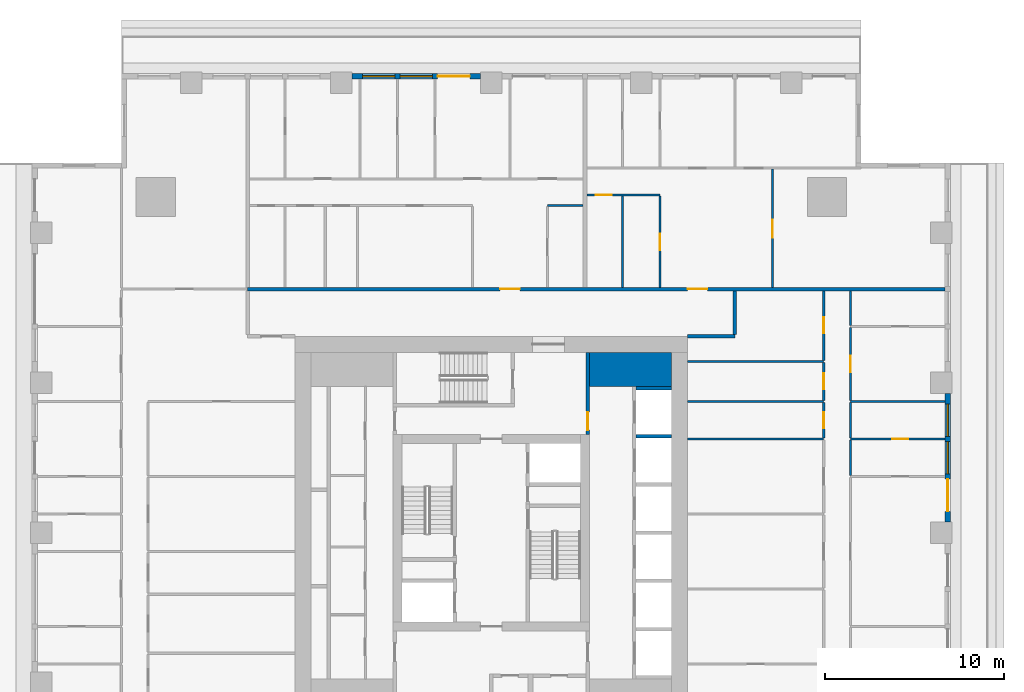
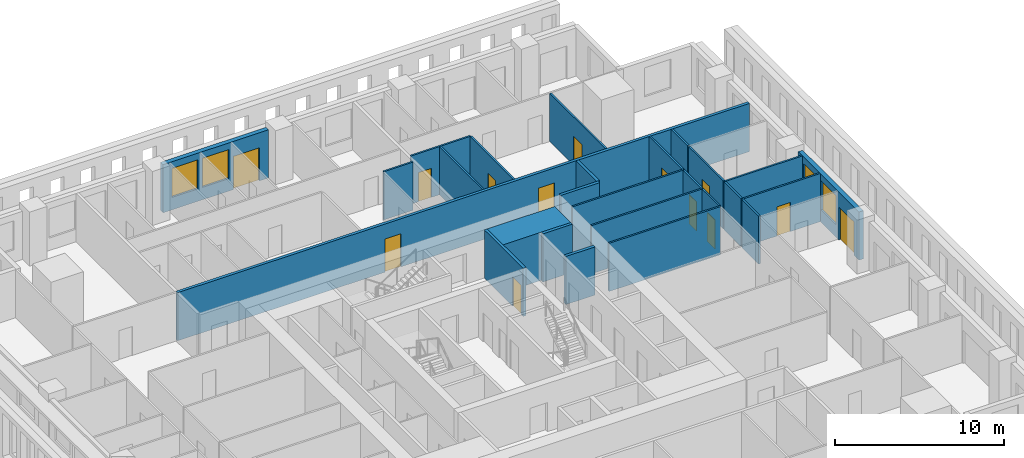
# One storey, part 8 of 15: 26 walls, 13 doors, 4 windows, 17 openings.
"""IFC4 building model written with IfcOpenShell, lengths in metres."""

from ifc_helpers import new_model, si_unit, direction, frame, frame_2d, origin, place, context, subcontext, project, spatial, rectangle, extrude, material, layer, layer_set, type_object, element, fill, save


model = new_model("IFC4")

# Units and contexts
model_context = context("Model", 3, precision=1e-05, world=origin(), true_north=direction((0.0, 1.0)))
body_context = subcontext(model_context, "Body", "Model", "MODEL_VIEW")
ifc_project = project(units=[si_unit("LENGTHUNIT", "METRE"), si_unit("AREAUNIT", "SQUARE_METRE"), si_unit("VOLUMEUNIT", "CUBIC_METRE"), si_unit("PLANEANGLEUNIT", "RADIAN"), si_unit("MASSUNIT", "GRAM", prefix="KILO")], contexts=[model_context])

# Site, building, storey
site_placement = place(None, origin())
site = spatial("IfcSite", under=ifc_project, at=site_placement, CompositionType="ELEMENT")
building_placement = place(site_placement, origin())
building = spatial("IfcBuilding", under=site, at=building_placement, Name="Khepri Terraces", CompositionType="ELEMENT")
storey_placement = place(building_placement, frame((0.0, 0.0, 256.199951171875)))
storey = spatial("IfcBuildingStorey", under=building, at=storey_placement, Name="L61", CompositionType="ELEMENT", Elevation=256.199951171875)

# Walls
ifc_material_1 = material(Name="Concrete C40/50", Category="concrete")
ifc_layer_1 = layer(ifc_material_1, 1.89990234375, Name="Concrete C40/50", Category="concrete")
ifc_layer_set_1 = layer_set([ifc_layer_1], Name="Concrete C40/50")
wall_type_1 = type_object("IfcWallType", Name="Core wall 1900 C40/50", PredefinedType="SHEAR", material=ifc_layer_set_1)
wall_1_placement = place(storey_placement, frame((5.5, 9.14990234375, 0.0), z_axis=(0.0, 0.0, 1.0), x_axis=(1.0, 0.0, 0.0)))
element("IfcWall", 1, at=wall_1_placement, inside=storey, type_object=wall_type_1, Name="Core wall PR04 L61", PredefinedType="SHEAR", context=body_context, shape_type="SweptSolid", body=[
    extrude(rectangle(XDim=4.60009765625, YDim=1.89990234375, at=frame_2d((2.300048828125, 0.0))), origin(), (0.0, 0.0, 1.0), 3.47998046875),
])
ifc_layer_2 = layer(ifc_material_1, 0.199951171875, Name="Concrete C40/50", Category="concrete")
ifc_layer_set_2 = layer_set([ifc_layer_2], Name="Concrete C40/50")
wall_type_2 = type_object("IfcWallType", Name="Core wall 200 C40/50", PredefinedType="SHEAR", material=ifc_layer_set_2)
for number, where, z_axis, x_axis, name in (
    (2, (8.10009765625, 5.39990234375, 0.0), (0.0, 0.0, 1.0), (1.0, 0.0, 0.0), "Core wall SH14 L61"),
    (3, (8.10009765625, 8.10009765625, 0.0), (0.0, 0.0, 1.0), (1.0, 0.0, 0.0), "Core wall SH15 L61"),
):
    element("IfcWall", number, at=place(storey_placement, frame(where, z_axis=z_axis, x_axis=x_axis)), inside=storey, type_object=wall_type_2, Name=name, PredefinedType="SHEAR", context=body_context, shape_type="SweptSolid", body=[
        extrude(rectangle(XDim=2.0, YDim=0.199951171875, at=frame_2d((1.0, 0.0))), origin(), (0.0, 0.0, 1.0), 3.47998046875),
    ])

# Wall, opening, door
ifc_material_2 = material(Name="Fire-rated gypsum board partition")
ifc_layer_3 = layer(ifc_material_2, 0.199951171875, Name="Fire-rated gypsum board partition")
ifc_layer_set_3 = layer_set([ifc_layer_3], Name="Fire-rated gypsum board partition")
wall_type_3 = type_object("IfcWallType", Name="WL-CORE-PART-200", PredefinedType="PARTITIONING", material=ifc_layer_set_3)
wall_2_placement = place(storey_placement, frame((5.39990234375, 5.5, 0.0), z_axis=(0.0, 0.0, 1.0), x_axis=(0.0, 1.0, 0.0)))
wall_2 = element("IfcWall", 4, at=wall_2_placement, inside=storey, type_object=wall_type_3, Name="Core partition PT12 L61", PredefinedType="PARTITIONING", context=body_context, shape_type="SweptSolid", body=[
    extrude(rectangle(XDim=4.60009765625, YDim=0.199951171875, at=frame_2d((2.300048828125, 0.0))), origin(), (0.0, 0.0, 1.0), 3.47998046875),
])
opening_1_placement = place(wall_2_placement, frame((0.25, 0.0, 0.0)))
opening_1 = element("IfcOpeningElement", 5, at=opening_1_placement, cuts=wall_2, Name="Opening L61-C17", PredefinedType="OPENING", context=body_context, shape_type="SweptSolid", body=[
    extrude(rectangle(XDim=1.0, YDim=2.10009765625, at=frame_2d((0.5, 1.050048828125))), frame((0.0, 0.10986328125, 0.0), z_axis=(0.0, -1.0, 0.0), x_axis=(1.0, 0.0, 0.0)), (0.0, 0.0, 1.0), 0.219970703125),
])
ifc_material_3 = material(Name="Painted steel", Category="steel")
door_type_1 = type_object("IfcDoorType", Name="DR-CORE-LOBBY-1000", OperationType="NOTDEFINED", PredefinedType="DOOR", material=ifc_material_3)
door_1_placement = place(opening_1_placement, origin())
door_1 = element("IfcDoor", 6, at=door_1_placement, inside=storey, type_object=door_type_1, Name="Lobby door L61-C17", OperationType="SINGLE_SWING_LEFT", OverallHeight=2.10009765625, OverallWidth=1.0, PredefinedType="DOOR", context=body_context, shape_type="SweptSolid", body=[
    extrude(rectangle(XDim=1.0, YDim=2.10009765625, at=frame_2d((0.5, 1.050048828125))), frame((0.0, 0.02490234375, 0.0), z_axis=(0.0, -1.0, 0.0), x_axis=(1.0, 0.0, 0.0)), (0.0, 0.0, 1.0), 0.050048828125),
])
fill(opening_1, door_1)

# Walls
ifc_material_4 = material(Name="Fire-rated gypsum plasterboard partition, mineral wool")
ifc_layer_4 = layer(ifc_material_4, 0.199951171875, Name="Fire-rated gypsum plasterboard partition, mineral wool")
ifc_layer_set_4 = layer_set([ifc_layer_4], Name="Fire-rated gypsum plasterboard partition, mineral wool")
wall_type_4 = type_object("IfcWallType", Name="WL-CORR-200", PredefinedType="PARTITIONING", material=ifc_layer_set_4)
wall_3_placement = place(storey_placement, frame((11.0, 11.0, 0.0), z_axis=(0.0, 0.0, 1.0), x_axis=(1.0, 0.0, 0.0)))
element("IfcWall", 7, at=wall_3_placement, inside=storey, type_object=wall_type_4, Name="Partition P-072 L61", PredefinedType="PARTITIONING", context=body_context, shape_type="SweptSolid", body=[
    extrude(rectangle(XDim=2.64990234375, YDim=0.199951171875, at=frame_2d((1.324951171875, 0.0))), origin(), (0.0, 0.0, 1.0), 3.47998046875),
])
wall_4_placement = place(storey_placement, frame((13.64990234375, 11.10009765625, 0.0), z_axis=(0.0, 0.0, 1.0), x_axis=(0.0, 1.0, 0.0)))
element("IfcWall", 8, at=wall_4_placement, inside=storey, type_object=wall_type_4, Name="Partition P-074 L61", PredefinedType="PARTITIONING", context=body_context, shape_type="SweptSolid", body=[
    extrude(rectangle(XDim=2.449951171875, YDim=0.199951171875, at=frame_2d((1.22509765625, 0.0))), origin(), (0.0, 0.0, 1.0), 3.47998046875),
])

# Wall, openings, doors
wall_5_placement = place(storey_placement, frame((-13.64990234375, 13.64990234375, 0.0), z_axis=(0.0, 0.0, 1.0), x_axis=(1.0, 0.0, 0.0)))
wall_5 = element("IfcWall", 9, at=wall_5_placement, inside=storey, type_object=wall_type_4, Name="Partition P-080 L61", PredefinedType="PARTITIONING", context=body_context, shape_type="SweptSolid", body=[
    extrude(rectangle(XDim=39.06982421875, YDim=0.199951171875, at=frame_2d((19.534912109375, 0.0))), origin(), (0.0, 0.0, 1.0), 3.47998046875),
])
opening_2_placement = place(wall_5_placement, frame((24.64990234375, 0.0, 0.0)))
opening_2 = element("IfcOpeningElement", 10, at=opening_2_placement, cuts=wall_5, Name="Opening D1", PredefinedType="OPENING", context=body_context, shape_type="SweptSolid", body=[
    extrude(rectangle(XDim=1.10009765625, YDim=2.39990234375, at=frame_2d((0.550048828125, 1.199951171875))), frame((0.0, 0.10986328125, 0.0), z_axis=(0.0, -1.0, 0.0), x_axis=(1.0, 0.0, 0.0)), (0.0, 0.0, 1.0), 0.219970703125),
])
opening_3_placement = place(wall_5_placement, frame((14.14990234375, 0.0, 0.0)))
opening_3 = element("IfcOpeningElement", 11, at=opening_3_placement, cuts=wall_5, Name="Opening D1", PredefinedType="OPENING", context=body_context, shape_type="SweptSolid", body=[
    extrude(rectangle(XDim=1.10009765625, YDim=2.39990234375, at=frame_2d((0.550048828125, 1.199951171875))), frame((0.0, 0.10986328125, 0.0), z_axis=(0.0, -1.0, 0.0), x_axis=(1.0, 0.0, 0.0)), (0.0, 0.0, 1.0), 0.219970703125),
])
ifc_material_5 = material(Name="Solid-core timber door leaf, flat entrance door", Category="wood")
door_type_2 = type_object("IfcDoorType", Name="DR-ENT-1100", OperationType="NOTDEFINED", PredefinedType="DOOR", material=ifc_material_5)
door_2_placement = place(opening_2_placement, origin())
door_2 = element("IfcDoor", 12, at=door_2_placement, inside=storey, type_object=door_type_2, Name="Flat C1 entrance door", OperationType="SINGLE_SWING_RIGHT", OverallHeight=2.39990234375, OverallWidth=1.10009765625, PredefinedType="DOOR", context=body_context, shape_type="SweptSolid", body=[
    extrude(rectangle(XDim=1.10009765625, YDim=2.39990234375, at=frame_2d((0.550048828125, 1.199951171875))), frame((0.0, 0.02490234375, 0.0), z_axis=(0.0, -1.0, 0.0), x_axis=(1.0, 0.0, 0.0)), (0.0, 0.0, 1.0), 0.050048828125),
])
fill(opening_2, door_2)
door_3_placement = place(opening_3_placement, origin())
door_3 = element("IfcDoor", 13, at=door_3_placement, inside=storey, type_object=door_type_2, Name="Flat C2 entrance door", OperationType="SINGLE_SWING_LEFT", OverallHeight=2.39990234375, OverallWidth=1.10009765625, PredefinedType="DOOR", context=body_context, shape_type="SweptSolid", body=[
    extrude(rectangle(XDim=1.10009765625, YDim=2.39990234375, at=frame_2d((0.550048828125, 1.199951171875))), frame((0.0, 0.02490234375, 0.0), z_axis=(0.0, -1.0, 0.0), x_axis=(1.0, 0.0, 0.0)), (0.0, 0.0, 1.0), 0.050048828125),
])
fill(opening_3, door_3)

# Wall, openings, door, windows
ifc_material_6 = material(Name="Precast concrete C50/60 warm stone", Category="masonry")
ifc_layer_5 = layer(ifc_material_6, 0.300048828125, Name="Precast concrete C50/60 warm stone", Category="masonry")
ifc_layer_set_5 = layer_set([ifc_layer_5], Name="Precast concrete C50/60 warm stone")
wall_type_5 = type_object("IfcWallType", Name="WL-EXT-PRECAST-300", PredefinedType="STANDARD", material=ifc_layer_set_5)
wall_6_placement = place(storey_placement, frame((25.570068359375, 0.60009765625, 0.0), z_axis=(0.0, 0.0, 1.0), x_axis=(0.0, 1.0, 0.0)))
wall_6 = element("IfcWall", 14, at=wall_6_placement, inside=storey, type_object=wall_type_5, Name="External wall L61 E", PredefinedType="STANDARD", context=body_context, shape_type="SweptSolid", body=[
    extrude(rectangle(XDim=7.199951171875, YDim=0.300048828125, at=frame_2d((3.60009765625, 0.0))), origin(), (0.0, 0.0, 1.0), 3.47998046875),
])
opening_4_placement = place(wall_6_placement, frame((0.60009765625, 0.0, 0.0)))
opening_4 = element("IfcOpeningElement", 15, at=opening_4_placement, cuts=wall_6, Name="Opening ED-L61-06", PredefinedType="OPENING", context=body_context, shape_type="SweptSolid", body=[
    extrude(rectangle(XDim=1.800048828125, YDim=2.39990234375, at=frame_2d((0.89990234375, 1.199951171875))), frame((0.0, 0.16015625, 0.0), z_axis=(0.0, -1.0, 0.0), x_axis=(1.0, 0.0, 0.0)), (0.0, 0.0, 1.0), 0.320068359375),
])
opening_5_placement = place(wall_6_placement, frame((2.699951171875, 0.0, 0.89990234375)))
opening_5 = element("IfcOpeningElement", 16, at=opening_5_placement, cuts=wall_6, Name="Opening W1", PredefinedType="OPENING", context=body_context, shape_type="SweptSolid", body=[
    extrude(rectangle(XDim=1.800048828125, YDim=2.10009765625, at=frame_2d((0.89990234375, 1.050048828125))), frame((0.0, 0.16015625, 0.0), z_axis=(0.0, -1.0, 0.0), x_axis=(1.0, 0.0, 0.0)), (0.0, 0.0, 1.0), 0.320068359375),
])
opening_6_placement = place(wall_6_placement, frame((4.800048828125, 0.0, 0.89990234375)))
opening_6 = element("IfcOpeningElement", 17, at=opening_6_placement, cuts=wall_6, Name="Opening W1", PredefinedType="OPENING", context=body_context, shape_type="SweptSolid", body=[
    extrude(rectangle(XDim=1.800048828125, YDim=2.10009765625, at=frame_2d((0.89990234375, 1.050048828125))), frame((0.0, 0.16015625, 0.0), z_axis=(0.0, -1.0, 0.0), x_axis=(1.0, 0.0, 0.0)), (0.0, 0.0, 1.0), 0.320068359375),
])
ifc_material_7 = material(Name="Anodised aluminium bronze glazed door", Category="aluminium")
door_type_3 = type_object("IfcDoorType", Name="DR-BAL-SLIDE-1800x2400", OperationType="NOTDEFINED", PredefinedType="DOOR", material=ifc_material_7)
door_4_placement = place(opening_4_placement, origin())
door_4 = element("IfcDoor", 18, at=door_4_placement, inside=storey, type_object=door_type_3, Name="Balcony door L61 E", OperationType="SLIDING_TO_LEFT", OverallHeight=2.39990234375, OverallWidth=1.800048828125, PredefinedType="DOOR", context=body_context, shape_type="SweptSolid", body=[
    extrude(rectangle(XDim=1.800048828125, YDim=2.39990234375, at=frame_2d((0.89990234375, 1.199951171875))), frame((0.0, 0.02490234375, 0.0), z_axis=(0.0, -1.0, 0.0), x_axis=(1.0, 0.0, 0.0)), (0.0, 0.0, 1.0), 0.050048828125),
])
fill(opening_4, door_4)
ifc_material_8 = material(Name="Clear glass", Category="glass")
window_type = type_object("IfcWindowType", Name="WIN-RES-1800x2100", PartitioningType="SINGLE_PANEL", PredefinedType="WINDOW", material=ifc_material_8)
window_1_placement = place(opening_5_placement, origin())
window_1 = element("IfcWindow", 19, at=window_1_placement, inside=storey, type_object=window_type, Name="Window L61 E", OverallHeight=2.10009765625, OverallWidth=1.800048828125, PartitioningType="SINGLE_PANEL", PredefinedType="WINDOW", context=body_context, shape_type="SweptSolid", body=[
    extrude(rectangle(XDim=1.800048828125, YDim=2.10009765625, at=frame_2d((0.89990234375, 1.050048828125))), frame((0.0, 0.030029296875, 0.0), z_axis=(0.0, -1.0, 0.0), x_axis=(1.0, 0.0, 0.0)), (0.0, 0.0, 1.0), 0.06005859375),
])
fill(opening_5, window_1)
window_2_placement = place(opening_6_placement, origin())
window_2 = element("IfcWindow", 20, at=window_2_placement, inside=storey, type_object=window_type, Name="Window L61 E", OverallHeight=2.10009765625, OverallWidth=1.800048828125, PartitioningType="SINGLE_PANEL", PredefinedType="WINDOW", context=body_context, shape_type="SweptSolid", body=[
    extrude(rectangle(XDim=1.800048828125, YDim=2.10009765625, at=frame_2d((0.89990234375, 1.050048828125))), frame((0.0, 0.030029296875, 0.0), z_axis=(0.0, -1.0, 0.0), x_axis=(1.0, 0.0, 0.0)), (0.0, 0.0, 1.0), 0.06005859375),
])
fill(opening_6, window_2)

wall_7_placement = place(storey_placement, frame((-0.60009765625, 25.570068359375, 0.0), z_axis=(0.0, 0.0, 1.0), x_axis=(-1.0, 0.0, 0.0)))
wall_7 = element("IfcWall", 21, at=wall_7_placement, inside=storey, type_object=wall_type_5, Name="External wall L61 N", PredefinedType="STANDARD", context=body_context, shape_type="SweptSolid", body=[
    extrude(rectangle(XDim=7.199951171875, YDim=0.300048828125, at=frame_2d((3.60009765625, 0.0))), origin(), (0.0, 0.0, 1.0), 3.47998046875),
])
opening_7_placement = place(wall_7_placement, frame((0.60009765625, 0.0, 0.0)))
opening_7 = element("IfcOpeningElement", 22, at=opening_7_placement, cuts=wall_7, Name="Opening ED-L61-11", PredefinedType="OPENING", context=body_context, shape_type="SweptSolid", body=[
    extrude(rectangle(XDim=1.800048828125, YDim=2.39990234375, at=frame_2d((0.89990234375, 1.199951171875))), frame((0.0, 0.16015625, 0.0), z_axis=(0.0, -1.0, 0.0), x_axis=(1.0, 0.0, 0.0)), (0.0, 0.0, 1.0), 0.320068359375),
])
opening_8_placement = place(wall_7_placement, frame((2.699951171875, 0.0, 0.89990234375)))
opening_8 = element("IfcOpeningElement", 23, at=opening_8_placement, cuts=wall_7, Name="Opening W1", PredefinedType="OPENING", context=body_context, shape_type="SweptSolid", body=[
    extrude(rectangle(XDim=1.800048828125, YDim=2.10009765625, at=frame_2d((0.89990234375, 1.050048828125))), frame((0.0, 0.16015625, 0.0), z_axis=(0.0, -1.0, 0.0), x_axis=(1.0, 0.0, 0.0)), (0.0, 0.0, 1.0), 0.320068359375),
])
opening_9_placement = place(wall_7_placement, frame((4.800048828125, 0.0, 0.89990234375)))
opening_9 = element("IfcOpeningElement", 24, at=opening_9_placement, cuts=wall_7, Name="Opening W1", PredefinedType="OPENING", context=body_context, shape_type="SweptSolid", body=[
    extrude(rectangle(XDim=1.800048828125, YDim=2.10009765625, at=frame_2d((0.89990234375, 1.050048828125))), frame((0.0, 0.16015625, 0.0), z_axis=(0.0, -1.0, 0.0), x_axis=(1.0, 0.0, 0.0)), (0.0, 0.0, 1.0), 0.320068359375),
])
door_5_placement = place(opening_7_placement, origin())
door_5 = element("IfcDoor", 25, at=door_5_placement, inside=storey, type_object=door_type_3, Name="Balcony door L61 N", OperationType="SLIDING_TO_LEFT", OverallHeight=2.39990234375, OverallWidth=1.800048828125, PredefinedType="DOOR", context=body_context, shape_type="SweptSolid", body=[
    extrude(rectangle(XDim=1.800048828125, YDim=2.39990234375, at=frame_2d((0.89990234375, 1.199951171875))), frame((0.0, 0.02490234375, 0.0), z_axis=(0.0, -1.0, 0.0), x_axis=(1.0, 0.0, 0.0)), (0.0, 0.0, 1.0), 0.050048828125),
])
fill(opening_7, door_5)
window_3_placement = place(opening_8_placement, origin())
window_3 = element("IfcWindow", 26, at=window_3_placement, inside=storey, type_object=window_type, Name="Window L61 N", OverallHeight=2.10009765625, OverallWidth=1.800048828125, PartitioningType="SINGLE_PANEL", PredefinedType="WINDOW", context=body_context, shape_type="SweptSolid", body=[
    extrude(rectangle(XDim=1.800048828125, YDim=2.10009765625, at=frame_2d((0.89990234375, 1.050048828125))), frame((0.0, 0.030029296875, 0.0), z_axis=(0.0, -1.0, 0.0), x_axis=(1.0, 0.0, 0.0)), (0.0, 0.0, 1.0), 0.06005859375),
])
fill(opening_8, window_3)
window_4_placement = place(opening_9_placement, origin())
window_4 = element("IfcWindow", 27, at=window_4_placement, inside=storey, type_object=window_type, Name="Window L61 N", OverallHeight=2.10009765625, OverallWidth=1.800048828125, PartitioningType="SINGLE_PANEL", PredefinedType="WINDOW", context=body_context, shape_type="SweptSolid", body=[
    extrude(rectangle(XDim=1.800048828125, YDim=2.10009765625, at=frame_2d((0.89990234375, 1.050048828125))), frame((0.0, 0.030029296875, 0.0), z_axis=(0.0, -1.0, 0.0), x_axis=(1.0, 0.0, 0.0)), (0.0, 0.0, 1.0), 0.06005859375),
])
fill(opening_9, window_4)

# Walls
ifc_material_9 = material(Name="Gypsum plasterboard partition")
ifc_layer_6 = layer(ifc_material_9, 0.1201171875, Name="Gypsum plasterboard partition")
ifc_layer_set_6 = layer_set([ifc_layer_6], Name="Gypsum plasterboard partition")
wall_type_6 = type_object("IfcWallType", Name="WL-PART-120", PredefinedType="PARTITIONING", material=ifc_layer_set_6)
wall_8_placement = place(storey_placement, frame((20.1201171875, 3.2099609375, 0.0), z_axis=(0.0, 0.0, 1.0), x_axis=(0.0, 1.0, 0.0)))
element("IfcWall", 28, at=wall_8_placement, inside=storey, type_object=wall_type_6, Name="Partition P-057 L61", PredefinedType="PARTITIONING", context=body_context, shape_type="SweptSolid", body=[
    extrude(rectangle(XDim=1.97998046875, YDim=0.1201171875, at=frame_2d((0.989990234375, 0.0))), origin(), (0.0, 0.0, 1.0), 3.47998046875),
])
wall_9_placement = place(storey_placement, frame((11.0, 5.25, 0.0), z_axis=(0.0, 0.0, 1.0), x_axis=(1.0, 0.0, 0.0)))
element("IfcWall", 29, at=wall_9_placement, inside=storey, type_object=wall_type_6, Name="Partition P-058 L61", PredefinedType="PARTITIONING", context=body_context, shape_type="SweptSolid", body=[
    extrude(rectangle(XDim=7.6201171875, YDim=0.1201171875, at=frame_2d((3.81005859375, 0.0))), origin(), (0.0, 0.0, 1.0), 3.47998046875),
])

# Wall, opening, door
wall_10_placement = place(storey_placement, frame((20.1201171875, 5.25, 0.0), z_axis=(0.0, 0.0, 1.0), x_axis=(1.0, 0.0, 0.0)))
wall_10 = element("IfcWall", 30, at=wall_10_placement, inside=storey, type_object=wall_type_6, Name="Partition P-059 L61", PredefinedType="PARTITIONING", context=body_context, shape_type="SweptSolid", body=[
    extrude(rectangle(XDim=5.2998046875, YDim=0.1201171875, at=frame_2d((2.64990234375, 0.0))), origin(), (0.0, 0.0, 1.0), 3.47998046875),
])
opening_10_placement = place(wall_10_placement, frame((2.35009765625, 0.0, 0.0)))
opening_10 = element("IfcOpeningElement", 31, at=opening_10_placement, cuts=wall_10, Name="Opening D4", PredefinedType="OPENING", context=body_context, shape_type="SweptSolid", body=[
    extrude(rectangle(XDim=0.89990234375, YDim=2.10009765625, at=frame_2d((0.449951171875, 1.050048828125))), frame((0.0, 0.070068359375, 0.0), z_axis=(0.0, -1.0, 0.0), x_axis=(1.0, 0.0, 0.0)), (0.0, 0.0, 1.0), 0.14013671875),
])
ifc_material_10 = material(Name="Timber door leaf, moisture resistant", Category="wood")
door_type_4 = type_object("IfcDoorType", Name="DR-WET-900", OperationType="NOTDEFINED", PredefinedType="DOOR", material=ifc_material_10)
door_6_placement = place(opening_10_placement, origin())
door_6 = element("IfcDoor", 32, at=door_6_placement, inside=storey, type_object=door_type_4, Name="Door Bathroom", OperationType="SINGLE_SWING_RIGHT", OverallHeight=2.10009765625, OverallWidth=0.89990234375, PredefinedType="DOOR", context=body_context, shape_type="SweptSolid", body=[
    extrude(rectangle(XDim=0.89990234375, YDim=2.10009765625, at=frame_2d((0.449951171875, 1.050048828125))), frame((0.0, 0.02490234375, 0.0), z_axis=(0.0, -1.0, 0.0), x_axis=(1.0, 0.0, 0.0)), (0.0, 0.0, 1.0), 0.050048828125),
])
fill(opening_10, door_6)

wall_11_placement = place(storey_placement, frame((18.6201171875, 5.31005859375, 0.0), z_axis=(0.0, 0.0, 1.0), x_axis=(0.0, 1.0, 0.0)))
wall_11 = element("IfcWall", 33, at=wall_11_placement, inside=storey, type_object=wall_type_6, Name="Partition P-060 L61", PredefinedType="PARTITIONING", context=body_context, shape_type="SweptSolid", body=[
    extrude(rectangle(XDim=1.97998046875, YDim=0.1201171875, at=frame_2d((0.989990234375, 0.0))), origin(), (0.0, 0.0, 1.0), 3.47998046875),
])
opening_11_placement = place(wall_11_placement, frame((0.5400390625, 0.0, 0.0)))
opening_11 = element("IfcOpeningElement", 34, at=opening_11_placement, cuts=wall_11, Name="Opening D4", PredefinedType="OPENING", context=body_context, shape_type="SweptSolid", body=[
    extrude(rectangle(XDim=0.89990234375, YDim=2.10009765625, at=frame_2d((0.449951171875, 1.050048828125))), frame((0.0, 0.070068359375, 0.0), z_axis=(0.0, -1.0, 0.0), x_axis=(1.0, 0.0, 0.0)), (0.0, 0.0, 1.0), 0.14013671875),
])
door_7_placement = place(opening_11_placement, origin())
door_7 = element("IfcDoor", 35, at=door_7_placement, inside=storey, type_object=door_type_4, Name="Door Powder Room", OperationType="SINGLE_SWING_RIGHT", OverallHeight=2.10009765625, OverallWidth=0.89990234375, PredefinedType="DOOR", context=body_context, shape_type="SweptSolid", body=[
    extrude(rectangle(XDim=0.89990234375, YDim=2.10009765625, at=frame_2d((0.449951171875, 1.050048828125))), frame((0.0, 0.02490234375, 0.0), z_axis=(0.0, -1.0, 0.0), x_axis=(1.0, 0.0, 0.0)), (0.0, 0.0, 1.0), 0.050048828125),
])
fill(opening_11, door_7)

# Walls
wall_12_placement = place(storey_placement, frame((20.1201171875, 5.31005859375, 0.0), z_axis=(0.0, 0.0, 1.0), x_axis=(0.0, 1.0, 0.0)))
element("IfcWall", 36, at=wall_12_placement, inside=storey, type_object=wall_type_6, Name="Partition P-061 L61", PredefinedType="PARTITIONING", context=body_context, shape_type="SweptSolid", body=[
    extrude(rectangle(XDim=1.97998046875, YDim=0.1201171875, at=frame_2d((0.989990234375, 0.0))), origin(), (0.0, 0.0, 1.0), 3.47998046875),
])
wall_13_placement = place(storey_placement, frame((11.0, 7.35009765625, 0.0), z_axis=(0.0, 0.0, 1.0), x_axis=(1.0, 0.0, 0.0)))
element("IfcWall", 37, at=wall_13_placement, inside=storey, type_object=wall_type_6, Name="Partition P-064 L61", PredefinedType="PARTITIONING", context=body_context, shape_type="SweptSolid", body=[
    extrude(rectangle(XDim=7.6201171875, YDim=0.1201171875, at=frame_2d((3.81005859375, 0.0))), origin(), (0.0, 0.0, 1.0), 3.47998046875),
])
wall_14_placement = place(storey_placement, frame((20.1201171875, 7.35009765625, 0.0), z_axis=(0.0, 0.0, 1.0), x_axis=(1.0, 0.0, 0.0)))
element("IfcWall", 38, at=wall_14_placement, inside=storey, type_object=wall_type_6, Name="Partition P-065 L61", PredefinedType="PARTITIONING", context=body_context, shape_type="SweptSolid", body=[
    extrude(rectangle(XDim=5.2998046875, YDim=0.1201171875, at=frame_2d((2.64990234375, 0.0))), origin(), (0.0, 0.0, 1.0), 3.47998046875),
])

# Wall, opening, door
wall_15_placement = place(storey_placement, frame((18.6201171875, 7.409912109375, 0.0), z_axis=(0.0, 0.0, 1.0), x_axis=(0.0, 1.0, 0.0)))
wall_15 = element("IfcWall", 39, at=wall_15_placement, inside=storey, type_object=wall_type_6, Name="Partition P-067 L61", PredefinedType="PARTITIONING", context=body_context, shape_type="SweptSolid", body=[
    extrude(rectangle(XDim=2.130126953125, YDim=0.1201171875, at=frame_2d((1.06494140625, 0.0))), origin(), (0.0, 0.0, 1.0), 3.47998046875),
])
opening_12_placement = place(wall_15_placement, frame((0.614990234375, 0.0, 0.0)))
opening_12 = element("IfcOpeningElement", 40, at=opening_12_placement, cuts=wall_15, Name="Opening D4", PredefinedType="OPENING", context=body_context, shape_type="SweptSolid", body=[
    extrude(rectangle(XDim=0.89990234375, YDim=2.10009765625, at=frame_2d((0.449951171875, 1.050048828125))), frame((0.0, 0.070068359375, 0.0), z_axis=(0.0, -1.0, 0.0), x_axis=(1.0, 0.0, 0.0)), (0.0, 0.0, 1.0), 0.14013671875),
])
door_8_placement = place(opening_12_placement, origin())
door_8 = element("IfcDoor", 41, at=door_8_placement, inside=storey, type_object=door_type_4, Name="Door Guest Bathroom", OperationType="SINGLE_SWING_RIGHT", OverallHeight=2.10009765625, OverallWidth=0.89990234375, PredefinedType="DOOR", context=body_context, shape_type="SweptSolid", body=[
    extrude(rectangle(XDim=0.89990234375, YDim=2.10009765625, at=frame_2d((0.449951171875, 1.050048828125))), frame((0.0, 0.02490234375, 0.0), z_axis=(0.0, -1.0, 0.0), x_axis=(1.0, 0.0, 0.0)), (0.0, 0.0, 1.0), 0.050048828125),
])
fill(opening_12, door_8)

wall_16_placement = place(storey_placement, frame((20.1201171875, 7.409912109375, 0.0), z_axis=(0.0, 0.0, 1.0), x_axis=(0.0, 1.0, 0.0)))
wall_16 = element("IfcWall", 42, at=wall_16_placement, inside=storey, type_object=wall_type_6, Name="Partition P-068 L61", PredefinedType="PARTITIONING", context=body_context, shape_type="SweptSolid", body=[
    extrude(rectangle(XDim=4.080078125, YDim=0.1201171875, at=frame_2d((2.0400390625, 0.0))), origin(), (0.0, 0.0, 1.0), 3.47998046875),
])
opening_13_placement = place(wall_16_placement, frame((1.590087890625, 0.0, 0.0)))
opening_13 = element("IfcOpeningElement", 43, at=opening_13_placement, cuts=wall_16, Name="Opening D3", PredefinedType="OPENING", context=body_context, shape_type="SweptSolid", body=[
    extrude(rectangle(XDim=0.89990234375, YDim=2.10009765625, at=frame_2d((0.449951171875, 1.050048828125))), frame((0.0, 0.070068359375, 0.0), z_axis=(0.0, -1.0, 0.0), x_axis=(1.0, 0.0, 0.0)), (0.0, 0.0, 1.0), 0.14013671875),
])
ifc_material_11 = material(Name="Timber door leaf", Category="wood")
door_type_5 = type_object("IfcDoorType", Name="DR-INT-900", OperationType="NOTDEFINED", PredefinedType="DOOR", material=ifc_material_11)
door_9_placement = place(opening_13_placement, frame((0.89990234375, 0.0, 0.0), z_axis=(0.0, 0.0, 1.0), x_axis=(-1.0, 0.0, 0.0)))
door_9 = element("IfcDoor", 44, at=door_9_placement, inside=storey, type_object=door_type_5, Name="Door Bedroom", OperationType="SINGLE_SWING_RIGHT", OverallHeight=2.10009765625, OverallWidth=0.89990234375, PredefinedType="DOOR", context=body_context, shape_type="SweptSolid", body=[
    extrude(rectangle(XDim=0.89990234375, YDim=2.10009765625, at=frame_2d((0.449951171875, 1.050048828125))), frame((0.0, 0.02490234375, 0.0), z_axis=(0.0, -1.0, 0.0), x_axis=(1.0, 0.0, 0.0)), (0.0, 0.0, 1.0), 0.050048828125),
])
fill(opening_13, door_9)

# Wall
wall_17_placement = place(storey_placement, frame((11.0, 9.60009765625, 0.0), z_axis=(0.0, 0.0, 1.0), x_axis=(1.0, 0.0, 0.0)))
element("IfcWall", 45, at=wall_17_placement, inside=storey, type_object=wall_type_6, Name="Partition P-069 L61", PredefinedType="PARTITIONING", context=body_context, shape_type="SweptSolid", body=[
    extrude(rectangle(XDim=7.6201171875, YDim=0.1201171875, at=frame_2d((3.81005859375, 0.0))), origin(), (0.0, 0.0, 1.0), 3.47998046875),
])

# Wall, opening, door
wall_18_placement = place(storey_placement, frame((18.6201171875, 9.659912109375, 0.0), z_axis=(0.0, 0.0, 1.0), x_axis=(0.0, 1.0, 0.0)))
wall_18 = element("IfcWall", 46, at=wall_18_placement, inside=storey, type_object=wall_type_6, Name="Partition P-070 L61", PredefinedType="PARTITIONING", context=body_context, shape_type="SweptSolid", body=[
    extrude(rectangle(XDim=3.89013671875, YDim=0.1201171875, at=frame_2d((1.945068359375, 0.0))), origin(), (0.0, 0.0, 1.0), 3.47998046875),
])
opening_14_placement = place(wall_18_placement, frame((1.514892578125, 0.0, 0.0)))
opening_14 = element("IfcOpeningElement", 47, at=opening_14_placement, cuts=wall_18, Name="Opening D3", PredefinedType="OPENING", context=body_context, shape_type="SweptSolid", body=[
    extrude(rectangle(XDim=0.89990234375, YDim=2.10009765625, at=frame_2d((0.449951171875, 1.050048828125))), frame((0.0, 0.070068359375, 0.0), z_axis=(0.0, -1.0, 0.0), x_axis=(1.0, 0.0, 0.0)), (0.0, 0.0, 1.0), 0.14013671875),
])
door_10_placement = place(opening_14_placement, origin())
door_10 = element("IfcDoor", 48, at=door_10_placement, inside=storey, type_object=door_type_5, Name="Door Library", OperationType="SINGLE_SWING_RIGHT", OverallHeight=2.10009765625, OverallWidth=0.89990234375, PredefinedType="DOOR", context=body_context, shape_type="SweptSolid", body=[
    extrude(rectangle(XDim=0.89990234375, YDim=2.10009765625, at=frame_2d((0.449951171875, 1.050048828125))), frame((0.0, 0.02490234375, 0.0), z_axis=(0.0, -1.0, 0.0), x_axis=(1.0, 0.0, 0.0)), (0.0, 0.0, 1.0), 0.050048828125),
])
fill(opening_14, door_10)

# Walls
wall_19_placement = place(storey_placement, frame((20.1201171875, 11.610107421875, 0.0), z_axis=(0.0, 0.0, 1.0), x_axis=(0.0, 1.0, 0.0)))
element("IfcWall", 49, at=wall_19_placement, inside=storey, type_object=wall_type_6, Name="Partition P-078 L61", PredefinedType="PARTITIONING", context=body_context, shape_type="SweptSolid", body=[
    extrude(rectangle(XDim=1.93994140625, YDim=0.1201171875, at=frame_2d((0.969970703125, 0.0))), origin(), (0.0, 0.0, 1.0), 3.47998046875),
])
wall_20_placement = place(storey_placement, frame((7.35009765625, 13.75, 0.0), z_axis=(0.0, 0.0, 1.0), x_axis=(0.0, 1.0, 0.0)))
element("IfcWall", 50, at=wall_20_placement, inside=storey, type_object=wall_type_6, Name="Partition P-089 L61", PredefinedType="PARTITIONING", context=body_context, shape_type="SweptSolid", body=[
    extrude(rectangle(XDim=5.110107421875, YDim=0.1201171875, at=frame_2d((2.55517578125, 0.0))), origin(), (0.0, 0.0, 1.0), 3.47998046875),
])

# Wall, opening, door
wall_21_placement = place(storey_placement, frame((9.449951171875, 13.75, 0.0), z_axis=(0.0, 0.0, 1.0), x_axis=(0.0, 1.0, 0.0)))
wall_21 = element("IfcWall", 51, at=wall_21_placement, inside=storey, type_object=wall_type_6, Name="Partition P-090 L61", PredefinedType="PARTITIONING", context=body_context, shape_type="SweptSolid", body=[
    extrude(rectangle(XDim=5.110107421875, YDim=0.1201171875, at=frame_2d((2.55517578125, 0.0))), origin(), (0.0, 0.0, 1.0), 3.47998046875),
])
opening_15_placement = place(wall_21_placement, frame((2.0849609375, 0.0, 0.0)))
opening_15 = element("IfcOpeningElement", 52, at=opening_15_placement, cuts=wall_21, Name="Opening D4", PredefinedType="OPENING", context=body_context, shape_type="SweptSolid", body=[
    extrude(rectangle(XDim=0.89990234375, YDim=2.10009765625, at=frame_2d((0.449951171875, 1.050048828125))), frame((0.0, 0.070068359375, 0.0), z_axis=(0.0, -1.0, 0.0), x_axis=(1.0, 0.0, 0.0)), (0.0, 0.0, 1.0), 0.14013671875),
])
door_11_placement = place(opening_15_placement, origin())
door_11 = element("IfcDoor", 53, at=door_11_placement, inside=storey, type_object=door_type_4, Name="Door Guest Bathroom", OperationType="SINGLE_SWING_LEFT", OverallHeight=2.10009765625, OverallWidth=0.89990234375, PredefinedType="DOOR", context=body_context, shape_type="SweptSolid", body=[
    extrude(rectangle(XDim=0.89990234375, YDim=2.10009765625, at=frame_2d((0.449951171875, 1.050048828125))), frame((0.0, 0.02490234375, 0.0), z_axis=(0.0, -1.0, 0.0), x_axis=(1.0, 0.0, 0.0)), (0.0, 0.0, 1.0), 0.050048828125),
])
fill(opening_15, door_11)

wall_22_placement = place(storey_placement, frame((15.75, 13.75, 0.0), z_axis=(0.0, 0.0, 1.0), x_axis=(0.0, 1.0, 0.0)))
wall_22 = element("IfcWall", 54, at=wall_22_placement, inside=storey, type_object=wall_type_6, Name="Partition P-091 L61", PredefinedType="PARTITIONING", context=body_context, shape_type="SweptSolid", body=[
    extrude(rectangle(XDim=6.610107421875, YDim=0.1201171875, at=frame_2d((3.30517578125, 0.0))), origin(), (0.0, 0.0, 1.0), 3.47998046875),
])
opening_16_placement = place(wall_22_placement, frame((2.784912109375, 0.0, 0.0)))
opening_16 = element("IfcOpeningElement", 55, at=opening_16_placement, cuts=wall_22, Name="Opening D2", PredefinedType="OPENING", context=body_context, shape_type="SweptSolid", body=[
    extrude(rectangle(XDim=1.0, YDim=2.10009765625, at=frame_2d((0.5, 1.050048828125))), frame((0.0, 0.070068359375, 0.0), z_axis=(0.0, -1.0, 0.0), x_axis=(1.0, 0.0, 0.0)), (0.0, 0.0, 1.0), 0.14013671875),
])
ifc_material_12 = material(Name="Timber door leaf, living room door", Category="wood")
door_type_6 = type_object("IfcDoorType", Name="DR-INT-1000", OperationType="NOTDEFINED", PredefinedType="DOOR", material=ifc_material_12)
door_12_placement = place(opening_16_placement, frame((1.0, 0.0, 0.0), z_axis=(0.0, 0.0, 1.0), x_axis=(-1.0, 0.0, 0.0)))
door_12 = element("IfcDoor", 56, at=door_12_placement, inside=storey, type_object=door_type_6, Name="Door Family Room", OperationType="SINGLE_SWING_RIGHT", OverallHeight=2.10009765625, OverallWidth=1.0, PredefinedType="DOOR", context=body_context, shape_type="SweptSolid", body=[
    extrude(rectangle(XDim=1.0, YDim=2.10009765625, at=frame_2d((0.5, 1.050048828125))), frame((0.0, 0.02490234375, 0.0), z_axis=(0.0, -1.0, 0.0), x_axis=(1.0, 0.0, 0.0)), (0.0, 0.0, 1.0), 0.050048828125),
])
fill(opening_16, door_12)

# Wall
wall_23_placement = place(storey_placement, frame((3.14990234375, 18.320068359375, 0.0), z_axis=(0.0, 0.0, 1.0), x_axis=(1.0, 0.0, 0.0)))
element("IfcWall", 57, at=wall_23_placement, inside=storey, type_object=wall_type_6, Name="Partition P-093 L61", PredefinedType="PARTITIONING", context=body_context, shape_type="SweptSolid", body=[
    extrude(rectangle(XDim=2.0, YDim=0.1201171875, at=frame_2d((1.0, 0.0))), origin(), (0.0, 0.0, 1.0), 3.47998046875),
])

# Wall, opening, door
wall_24_placement = place(storey_placement, frame((5.35009765625, 18.919921875, 0.0), z_axis=(0.0, 0.0, 1.0), x_axis=(1.0, 0.0, 0.0)))
wall_24 = element("IfcWall", 58, at=wall_24_placement, inside=storey, type_object=wall_type_6, Name="Partition P-094 L61", PredefinedType="PARTITIONING", context=body_context, shape_type="SweptSolid", body=[
    extrude(rectangle(XDim=4.099853515625, YDim=0.1201171875, at=frame_2d((2.0498046875, 0.0))), origin(), (0.0, 0.0, 1.0), 3.47998046875),
])
opening_17_placement = place(wall_24_placement, frame((0.5, 0.0, 0.0)))
opening_17 = element("IfcOpeningElement", 59, at=opening_17_placement, cuts=wall_24, Name="Opening D3", PredefinedType="OPENING", context=body_context, shape_type="SweptSolid", body=[
    extrude(rectangle(XDim=0.89990234375, YDim=2.10009765625, at=frame_2d((0.449951171875, 1.050048828125))), frame((0.0, 0.070068359375, 0.0), z_axis=(0.0, -1.0, 0.0), x_axis=(1.0, 0.0, 0.0)), (0.0, 0.0, 1.0), 0.14013671875),
])
door_13_placement = place(opening_17_placement, frame((0.89990234375, 0.0, 0.0), z_axis=(0.0, 0.0, 1.0), x_axis=(-1.0, 0.0, 0.0)))
door_13 = element("IfcDoor", 60, at=door_13_placement, inside=storey, type_object=door_type_5, Name="Door Kitchen", OperationType="SINGLE_SWING_RIGHT", OverallHeight=2.10009765625, OverallWidth=0.89990234375, PredefinedType="DOOR", context=body_context, shape_type="SweptSolid", body=[
    extrude(rectangle(XDim=0.89990234375, YDim=2.10009765625, at=frame_2d((0.449951171875, 1.050048828125))), frame((0.0, 0.02490234375, 0.0), z_axis=(0.0, -1.0, 0.0), x_axis=(1.0, 0.0, 0.0)), (0.0, 0.0, 1.0), 0.050048828125),
])
fill(opening_17, door_13)

save(model, "model.ifc")
